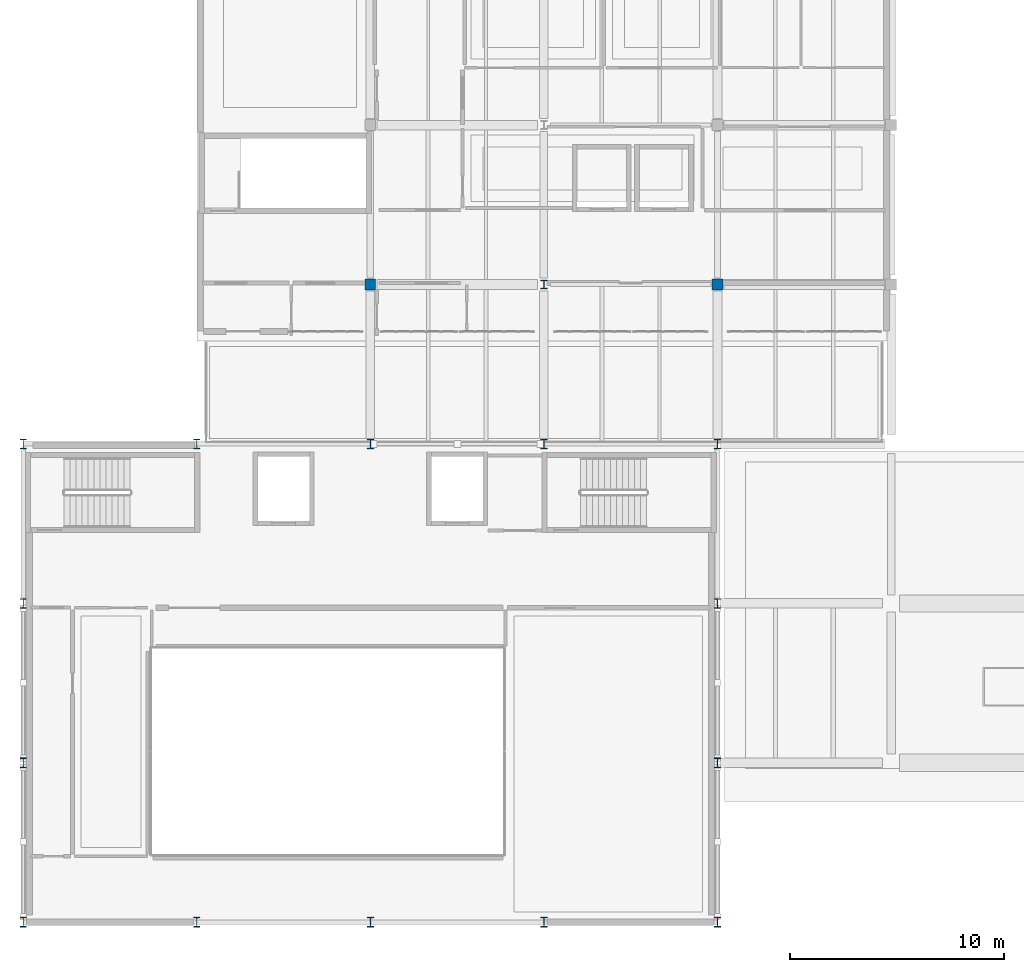
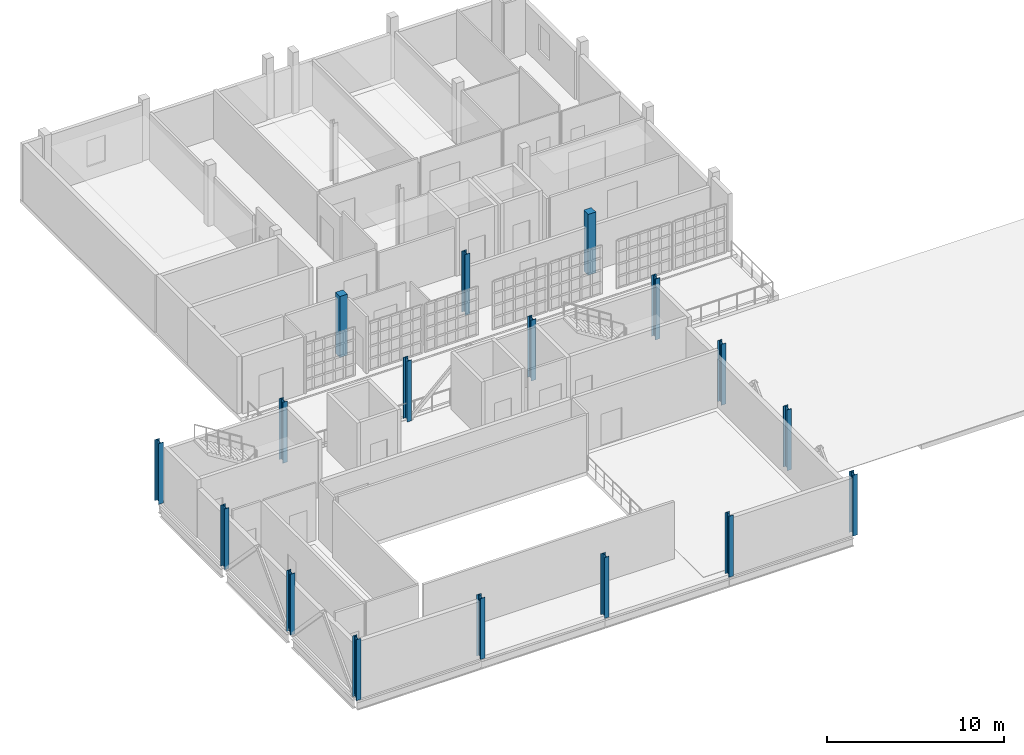
# One storey, part 1 of 25: 17 columns.
"""IFC4 building model written with IfcOpenShell, lengths in metres."""

from ifc_helpers import new_model, si_unit, direction, frame, origin, origin_2d, place, context, subcontext, project, spatial, rectangle, i_section, extrude, material, material_profile, profile_set, type_object, element, save


model = new_model("IFC4")

# Units and contexts
model_context = context("Model", 3, precision=1e-05, world=origin(), true_north=direction((0.0, 1.0)))
body_context = subcontext(model_context, "Body", "Model", "MODEL_VIEW")
ifc_project = project(units=[si_unit("LENGTHUNIT", "METRE"), si_unit("AREAUNIT", "SQUARE_METRE"), si_unit("VOLUMEUNIT", "CUBIC_METRE"), si_unit("PLANEANGLEUNIT", "RADIAN"), si_unit("MASSUNIT", "GRAM", prefix="KILO")], contexts=[model_context])

# Site, building, storey
site_placement = place(None, origin())
site = spatial("IfcSite", under=ifc_project, at=site_placement, CompositionType="ELEMENT")
building_placement = place(site_placement, origin())
building = spatial("IfcBuilding", under=site, at=building_placement, Name="Kaelora Sail Theatre", CompositionType="ELEMENT")
storey_placement = place(building_placement, frame((0.0, 0.0, 19.199951171875)))
storey = spatial("IfcBuildingStorey", under=building, at=storey_placement, Name="L04", CompositionType="ELEMENT", Elevation=19.199951171875)

# Columns
ifc_material_1 = material(Name="Steel S355", Category="steel")
ifc_material_profile_1 = material_profile(ifc_material_1, i_section(OverallWidth=0.300048828125, OverallDepth=0.39990234375, WebThickness=0.013427734375, FlangeThickness=0.02392578125, FilletRadius=0.027099609375, at=origin_2d()), Name="HEB 400")
ifc_profile_set_1 = profile_set([ifc_material_profile_1], Name="Steel S355")
column_type_1 = type_object("IfcColumnType", Name="STR-COL-C-HEB400", PredefinedType="COLUMN", material=ifc_profile_set_1)
column_placement = place(storey_placement, frame((50.10009765625, 90.780029296875, 0.0), z_axis=(0.0, 0.0, 1.0), x_axis=(1.0, 0.0, 0.0)))
element("IfcColumn", 1, at=column_placement, inside=storey, type_object=column_type_1, Name="Column 7/M (L04)", PredefinedType="COLUMN", context=body_context, shape_type="SweptSolid", body=[
    extrude(i_section(OverallWidth=0.300048828125, OverallDepth=0.39990234375, WebThickness=0.013427734375, FlangeThickness=0.02392578125, FilletRadius=0.027099609375, at=origin_2d()), origin(), (0.0, 0.0, 1.0), 4.199951171875),
])
ifc_material_2 = material(Name="Steel S355", Category="steel")
ifc_material_profile_2 = material_profile(ifc_material_2, i_section(OverallWidth=0.300048828125, OverallDepth=0.449951171875, WebThickness=0.013916015625, FlangeThickness=0.02587890625, FilletRadius=0.027099609375, at=origin_2d()), Name="HEB 450")
ifc_profile_set_2 = profile_set([ifc_material_profile_2], Name="Steel S355")
column_type_2 = type_object("IfcColumnType", Name="STR-COL-C-HEB450", PredefinedType="COLUMN", material=ifc_profile_set_2)
for number, where, z_axis, x_axis, name in (
    (2, (25.800048828125, 61.02001953125, 0.0), (0.0, 0.0, 1.0), (1.0, 0.0, 0.0), "Column 4/I (L04)"),
    (3, (25.800048828125, 68.4599609375, 0.0), (0.0, 0.0, 1.0), (1.0, 0.0, 0.0), "Column 4/J (L04)"),
    (4, (25.800048828125, 75.89990234375, 0.0), (0.0, 0.0, 1.0), (1.0, 0.0, 0.0), "Column 4/K (L04)"),
    (5, (25.800048828125, 83.340087890625, 0.0), (0.0, 0.0, 1.0), (1.0, 0.0, 0.0), "Column 4/L (L04)"),
    (6, (33.89990234375, 61.02001953125, 0.0), (0.0, 0.0, 1.0), (1.0, 0.0, 0.0), "Column 5/I (L04)"),
    (7, (33.89990234375, 83.340087890625, 0.0), (0.0, 0.0, 1.0), (1.0, 0.0, 0.0), "Column 5/L (L04)"),
    (8, (42.0, 61.02001953125, 0.0), (0.0, 0.0, 1.0), (1.0, 0.0, 0.0), "Column 6/I (L04)"),
    (9, (42.0, 83.340087890625, 0.0), (0.0, 0.0, 1.0), (1.0, 0.0, 0.0), "Column 6/L (L04)"),
    (10, (50.10009765625, 61.02001953125, 0.0), (0.0, 0.0, 1.0), (1.0, 0.0, 0.0), "Column 7/I (L04)"),
    (11, (50.10009765625, 83.340087890625, 0.0), (0.0, 0.0, 1.0), (1.0, 0.0, 0.0), "Column 7/L (L04)"),
    (12, (58.199951171875, 61.02001953125, 0.0), (0.0, 0.0, 1.0), (1.0, 0.0, 0.0), "Column 8/I (L04)"),
    (13, (58.199951171875, 68.4599609375, 0.0), (0.0, 0.0, 1.0), (1.0, 0.0, 0.0), "Column 8/J (L04)"),
    (14, (58.199951171875, 75.89990234375, 0.0), (0.0, 0.0, 1.0), (1.0, 0.0, 0.0), "Column 8/K (L04)"),
    (15, (58.199951171875, 83.340087890625, 0.0), (0.0, 0.0, 1.0), (1.0, 0.0, 0.0), "Column 8/L (L04)"),
):
    element("IfcColumn", number, at=place(storey_placement, frame(where, z_axis=z_axis, x_axis=x_axis)), inside=storey, type_object=column_type_2, Name=name, PredefinedType="COLUMN", context=body_context, shape_type="SweptSolid", body=[
        extrude(i_section(OverallWidth=0.300048828125, OverallDepth=0.449951171875, WebThickness=0.013916015625, FlangeThickness=0.02587890625, FilletRadius=0.027099609375, at=origin_2d()), origin(), (0.0, 0.0, 1.0), 4.199951171875),
    ])
ifc_material_3 = material(Name="Concrete C40/50", Category="concrete")
ifc_material_profile_3 = material_profile(ifc_material_3, rectangle(XDim=0.5, YDim=0.5, at=origin_2d()), Name="RC-COL 500x500")
ifc_profile_set_3 = profile_set([ifc_material_profile_3], Name="Concrete C40/50")
column_type_3 = type_object("IfcColumnType", Name="STR-COL-C-RC500", PredefinedType="COLUMN", material=ifc_profile_set_3)
for number, where, z_axis, x_axis, name in (
    (16, (42.0, 90.780029296875, 0.0), (0.0, 0.0, 1.0), (1.0, 0.0, 0.0), "Column 6/M (L04)"),
    (17, (58.199951171875, 90.780029296875, 0.0), (0.0, 0.0, 1.0), (1.0, 0.0, 0.0), "Column 8/M (L04)"),
):
    element("IfcColumn", number, at=place(storey_placement, frame(where, z_axis=z_axis, x_axis=x_axis)), inside=storey, type_object=column_type_3, Name=name, PredefinedType="COLUMN", context=body_context, shape_type="SweptSolid", body=[
        extrude(rectangle(XDim=0.5, YDim=0.5, at=origin_2d()), origin(), (0.0, 0.0, 1.0), 4.199951171875),
    ])

save(model, "model.ifc")
